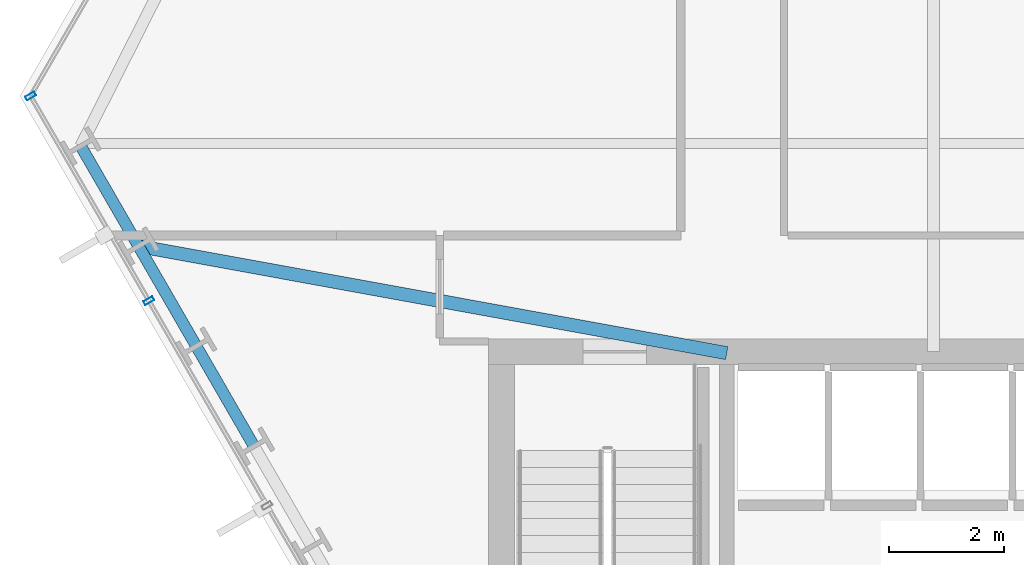
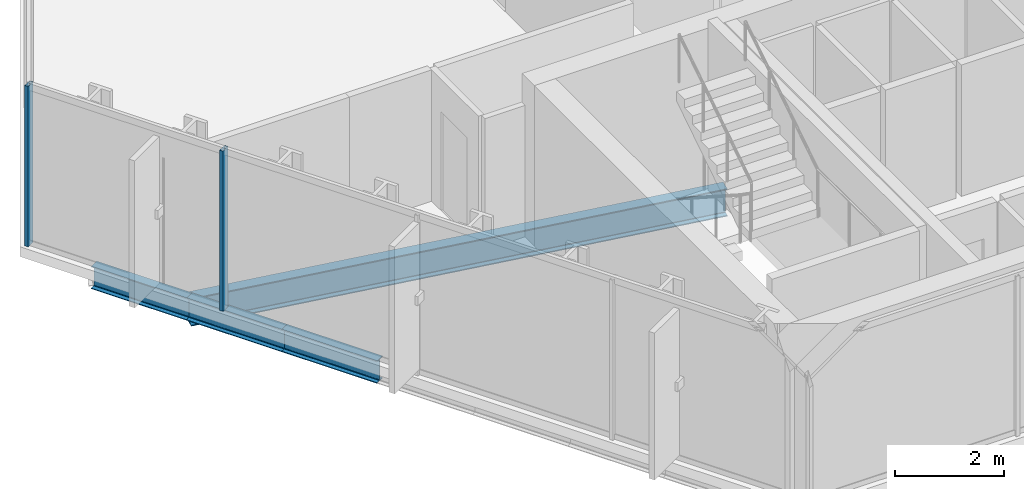
# One storey, part 4 of 33: 4 beams, 2 members, 1 element without a shape of its own.
"""IFC4 building model written with IfcOpenShell, lengths in metres."""

from ifc_helpers import new_model, si_unit, direction, frame, origin, origin_2d, place, context, subcontext, project, spatial, hollow_rectangle, i_section, extrude, material, layer, layer_set, material_profile, profile_set, type_object, element, aggregate, save


model = new_model("IFC4")

# Units and contexts
model_context = context("Model", 3, precision=1e-05, world=origin(), true_north=direction((0.0, 1.0)))
body_context = subcontext(model_context, "Body", "Model", "MODEL_VIEW")
ifc_project = project(units=[si_unit("LENGTHUNIT", "METRE"), si_unit("AREAUNIT", "SQUARE_METRE"), si_unit("VOLUMEUNIT", "CUBIC_METRE"), si_unit("PLANEANGLEUNIT", "RADIAN"), si_unit("MASSUNIT", "GRAM", prefix="KILO")], contexts=[model_context])

# Site, building, storey
site_placement = place(None, origin())
site = spatial("IfcSite", under=ifc_project, at=site_placement, CompositionType="ELEMENT")
building_placement = place(site_placement, origin())
building = spatial("IfcBuilding", under=site, at=building_placement, Name="Ndaravel Arena Tower", CompositionType="ELEMENT")
storey_placement = place(building_placement, frame((0.0, 0.0, 36.0)))
storey = spatial("IfcBuildingStorey", under=building, at=storey_placement, Name="L06", CompositionType="ELEMENT", Elevation=36.0)

# Beams
ifc_material_1 = material(Name="Steel S355", Category="steel")
ifc_material_profile_1 = material_profile(ifc_material_1, i_section(OverallWidth=0.230224609375, OverallDepth=0.6171875, WebThickness=0.01318359375, FlangeThickness=0.022216796875, FilletRadius=0.0126953125, at=origin_2d()), Name="UB 610x229x140")
ifc_profile_set_1 = profile_set([ifc_material_profile_1], Name="Steel S355")
beam_type_1 = type_object("IfcBeamType", Name="BM-GIRD-UB610B", PredefinedType="BEAM", material=ifc_profile_set_1)
beam_1_placement = place(storey_placement, frame((20.3525390625, 16.814453125, -0.528564453125), z_axis=(0.983847775726, -0.179007134493, 0.0), x_axis=(0.179007134493, 0.983847775726, 0.0)))
element("IfcBeam", 1, at=beam_1_placement, inside=storey, type_object=beam_type_1, Name="L06 Radial Floor Girder FG-21", PredefinedType="BEAM", context=body_context, shape_type="SweptSolid", body=[
    extrude(i_section(OverallWidth=0.230224609375, OverallDepth=0.6171875, WebThickness=0.01318359375, FlangeThickness=0.022216796875, FilletRadius=0.0126953125, at=origin_2d()), origin(), (0.0, 0.0, 1.0), 10.415771484375),
])
ifc_material_2 = material(Name="Steel S355", Category="steel")
ifc_material_profile_2 = material_profile(ifc_material_2, i_section(OverallWidth=0.199951171875, OverallDepth=0.5, WebThickness=0.01025390625, FlangeThickness=0.01611328125, FilletRadius=0.02099609375, at=origin_2d()), Name="IPE 500")
ifc_profile_set_2 = profile_set([ifc_material_profile_2], Name="Steel S355")
beam_type_2 = type_object("IfcBeamType", Name="BM-SPAN-IPE500", PredefinedType="SPANDREL", material=ifc_profile_set_2)
beam_2_placement = place(storey_placement, frame((19.345947265625, 18.55810546875, -0.469970703125), z_axis=(0.499960381356, -0.866048276411, 0.0), x_axis=(0.866048276411, 0.499960381356, 0.0)))
element("IfcBeam", 2, at=beam_2_placement, inside=storey, type_object=beam_type_2, Name="L06 Perimeter Spandrel Beam SP-20", PredefinedType="SPANDREL", context=body_context, shape_type="SweptSolid", body=[
    extrude(i_section(OverallWidth=0.199951171875, OverallDepth=0.5, WebThickness=0.01025390625, FlangeThickness=0.01611328125, FilletRadius=0.02099609375, at=origin_2d()), origin(), (0.0, 0.0, 1.0), 2.013427734375),
])
beam_3_placement = place(storey_placement, frame((20.3525390625, 16.814453125, -0.469970703125), z_axis=(0.499998820369, -0.866026084844, 0.0), x_axis=(0.866026084844, 0.499998820369, 0.0)))
element("IfcBeam", 3, at=beam_3_placement, inside=storey, type_object=beam_type_2, Name="L06 Perimeter Spandrel Beam SP-21", PredefinedType="SPANDREL", context=body_context, shape_type="SweptSolid", body=[
    extrude(i_section(OverallWidth=0.199951171875, OverallDepth=0.5, WebThickness=0.01025390625, FlangeThickness=0.01611328125, FilletRadius=0.02099609375, at=origin_2d()), origin(), (0.0, 0.0, 1.0), 2.013671875),
])
beam_4_placement = place(storey_placement, frame((21.359375, 15.070556640625, -0.469970703125), z_axis=(0.500051323872, -0.865995769906, 0.0), x_axis=(0.865995769906, 0.500051323872, 0.0)))
element("IfcBeam", 4, at=beam_4_placement, inside=storey, type_object=beam_type_2, Name="L06 Perimeter Spandrel Beam SP-22", PredefinedType="SPANDREL", context=body_context, shape_type="SweptSolid", body=[
    extrude(i_section(OverallWidth=0.199951171875, OverallDepth=0.5, WebThickness=0.01025390625, FlangeThickness=0.01611328125, FilletRadius=0.02099609375, at=origin_2d()), origin(), (0.0, 0.0, 1.0), 2.013427734375),
])

# Curtain wall, members
ifc_material_3 = material(Name="Aluminium", Category="aluminium")
ifc_layer = layer(ifc_material_3, 0.179931640625)
ifc_layer_set = layer_set([ifc_layer], Name="Aluminium")
curtain_wall_type = type_object("IfcCurtainWallType", Name="CW-SYS-02", PredefinedType="NOTDEFINED", material=ifc_layer_set)
curtain_wall_placement = place(storey_placement, origin())
curtain_wall = element("IfcCurtainWall", 5, at=curtain_wall_placement, inside=storey, type_object=curtain_wall_type, Name="L06 Faceted Crystal Curtain Wall CW-L06-E06", PredefinedType="NOTDEFINED")
ifc_material_4 = material(Name="Aluminium", Category="aluminium")
ifc_material_profile_3 = material_profile(ifc_material_4, hollow_rectangle(XDim=0.074951171875, YDim=0.179931640625, WallThickness=0.00390625, at=origin_2d()), Name="CW MULLION 75x180x4")
ifc_profile_set_3 = profile_set([ifc_material_profile_3], Name="Aluminium")
member_type = type_object("IfcMemberType", Name="MEM-CW-MUL180", PredefinedType="MULLION", material=ifc_profile_set_3)
member_1_placement = place(storey_placement, frame((18.472900390625, 19.429931640625, 0.0), z_axis=(0.0, 0.0, 1.0), x_axis=(0.5, -0.866025403784, 0.0)))
member_1 = element("IfcMember", 6, at=member_1_placement, type_object=member_type, Name="CW-L06-E06 Mullion 00", PredefinedType="MULLION", context=body_context, shape_type="SweptSolid", body=[
    extrude(hollow_rectangle(XDim=0.074951171875, YDim=0.179931640625, WallThickness=0.00390625, at=origin_2d()), origin(), (0.0, 0.0, 1.0), 3.580078125),
])
member_2_placement = place(storey_placement, frame((20.53271484375, 15.862548828125, 0.0), z_axis=(0.0, 0.0, 1.0), x_axis=(0.5, -0.866025403784, 0.0)))
member_2 = element("IfcMember", 7, at=member_2_placement, type_object=member_type, Name="CW-L06-E06 Mullion 01", PredefinedType="MULLION", context=body_context, shape_type="SweptSolid", body=[
    extrude(hollow_rectangle(XDim=0.074951171875, YDim=0.179931640625, WallThickness=0.00390625, at=origin_2d()), origin(), (0.0, 0.0, 1.0), 3.580078125),
])
aggregate(curtain_wall, [member_1, member_2])

save(model, "model.ifc")
